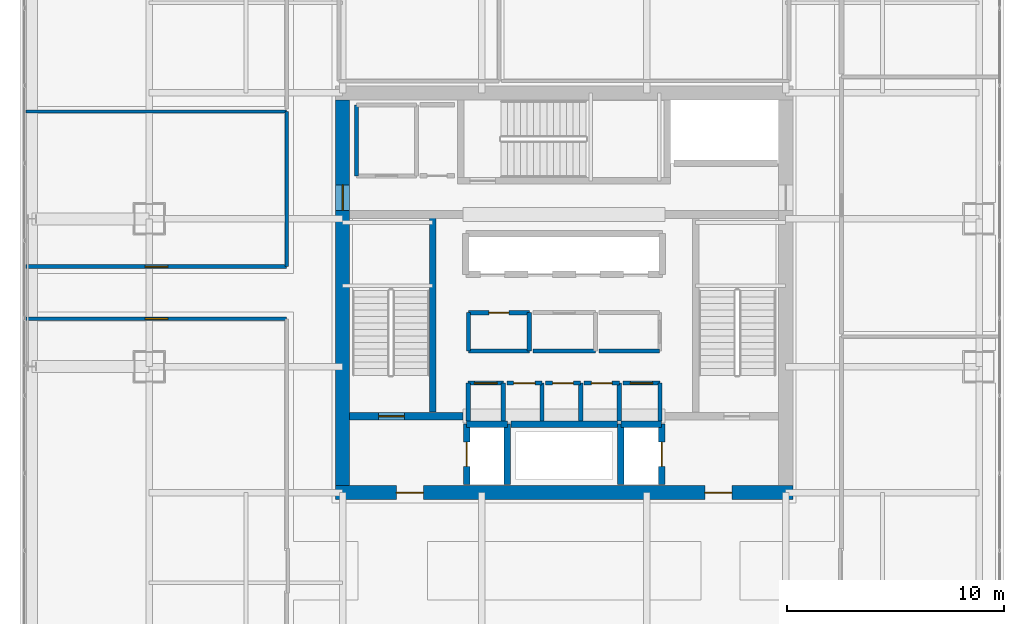
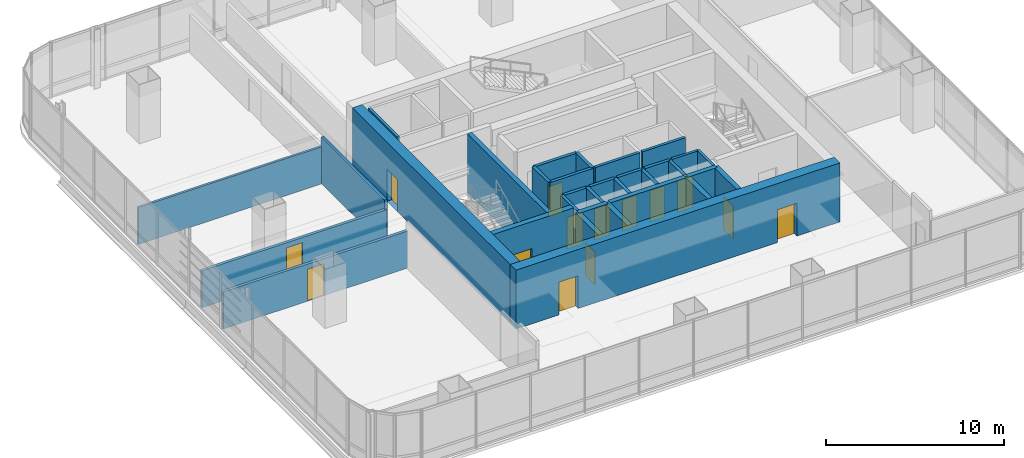
# One storey, part 30 of 38: 33 walls, 14 doors, 14 openings.
"""IFC4 building model written with IfcOpenShell, lengths in metres."""

from ifc_helpers import new_model, si_unit, direction, frame, frame_2d, origin, place, context, subcontext, project, spatial, rectangle, extrude, material, layer, layer_set, type_object, element, fill, save


model = new_model("IFC4")

# Units and contexts
model_context = context("Model", 3, precision=1e-05, world=origin(), true_north=direction((0.0, 1.0)))
body_context = subcontext(model_context, "Body", "Model", "MODEL_VIEW")
ifc_project = project(units=[si_unit("LENGTHUNIT", "METRE"), si_unit("AREAUNIT", "SQUARE_METRE"), si_unit("VOLUMEUNIT", "CUBIC_METRE"), si_unit("PLANEANGLEUNIT", "RADIAN"), si_unit("MASSUNIT", "GRAM", prefix="KILO")], contexts=[model_context])

# Site, building, storey
site_placement = place(None, origin())
site = spatial("IfcSite", under=ifc_project, at=site_placement, CompositionType="ELEMENT")
building_placement = place(site_placement, origin())
building = spatial("IfcBuilding", under=site, at=building_placement, Name="Punatoya Terracotta Tower", CompositionType="ELEMENT")
storey_placement = place(building_placement, frame((0.0, 0.0, 147.89990234375)))
storey = spatial("IfcBuildingStorey", under=building, at=storey_placement, Name="L34", CompositionType="ELEMENT", Elevation=147.89990234375)

# Wall, openings, doors
ifc_material_1 = material(Name="Concrete C60/75", Category="concrete")
ifc_layer_1 = layer(ifc_material_1, 0.64990234375)
ifc_layer_set_1 = layer_set([ifc_layer_1], Name="Concrete C60/75")
wall_type_1 = type_object("IfcWallType", Name="WL-COR-650", PredefinedType="SHEAR", material=ifc_layer_set_1)
wall_1_placement = place(storey_placement, frame((10.52490234375, -9.199951171875, 0.0), z_axis=(0.0, 0.0, 1.0), x_axis=(-1.0, 0.0, 0.0)))
wall_1 = element("IfcWall", 1, at=wall_1_placement, inside=storey, type_object=wall_type_1, Name="L34 Core Shear Wall S", PredefinedType="SHEAR", context=body_context, shape_type="SweptSolid", body=[
    extrude(rectangle(XDim=21.0498046875, YDim=0.64990234375, at=frame_2d((10.52490234375, 0.0))), origin(), (0.0, 0.0, 1.0), 4.050048828125),
])
opening_1_placement = place(wall_1_placement, frame((2.800048828125, 0.0, 0.0)))
opening_1 = element("IfcOpeningElement", 2, at=opening_1_placement, cuts=wall_1, Name="Opening FD-L1", PredefinedType="OPENING", context=body_context, shape_type="SweptSolid", body=[
    extrude(rectangle(XDim=1.25, YDim=2.25, at=frame_2d((0.625, 1.125))), frame((0.0, 0.3349609375, 0.0), z_axis=(0.0, -1.0, 0.0), x_axis=(1.0, 0.0, 0.0)), (0.0, 0.0, 1.0), 0.669921875),
])
opening_2_placement = place(wall_1_placement, frame((17.0, 0.0, 0.0)))
opening_2 = element("IfcOpeningElement", 3, at=opening_2_placement, cuts=wall_1, Name="Opening FD-L1", PredefinedType="OPENING", context=body_context, shape_type="SweptSolid", body=[
    extrude(rectangle(XDim=1.25, YDim=2.25, at=frame_2d((0.625, 1.125))), frame((0.0, 0.3349609375, 0.0), z_axis=(0.0, -1.0, 0.0), x_axis=(1.0, 0.0, 0.0)), (0.0, 0.0, 1.0), 0.669921875),
])
ifc_material_2 = material(Name="Galvanised Steel Smokeproof Fire Door", Category="steel")
door_type_1 = type_object("IfcDoorType", Name="DR-FFL-1250", OperationType="NOTDEFINED", PredefinedType="DOOR", material=ifc_material_2)
door_1_placement = place(opening_1_placement, origin())
door_1 = element("IfcDoor", 4, at=door_1_placement, inside=storey, type_object=door_type_1, Name="L34 East Firefighting Lobby Corridor Fire Door", OperationType="SINGLE_SWING_LEFT", OverallHeight=2.25, OverallWidth=1.25, PredefinedType="DOOR", context=body_context, shape_type="SweptSolid", body=[
    extrude(rectangle(XDim=1.25, YDim=2.25, at=frame_2d((0.625, 1.125))), frame((0.0, 0.02490234375, 0.0), z_axis=(0.0, -1.0, 0.0), x_axis=(1.0, 0.0, 0.0)), (0.0, 0.0, 1.0), 0.050048828125),
])
fill(opening_1, door_1)
door_2_placement = place(opening_2_placement, origin())
door_2 = element("IfcDoor", 5, at=door_2_placement, inside=storey, type_object=door_type_1, Name="L34 West Firefighting Lobby Corridor Fire Door", OperationType="SINGLE_SWING_RIGHT", OverallHeight=2.25, OverallWidth=1.25, PredefinedType="DOOR", context=body_context, shape_type="SweptSolid", body=[
    extrude(rectangle(XDim=1.25, YDim=2.25, at=frame_2d((0.625, 1.125))), frame((0.0, 0.02490234375, 0.0), z_axis=(0.0, -1.0, 0.0), x_axis=(1.0, 0.0, 0.0)), (0.0, 0.0, 1.0), 0.050048828125),
])
fill(opening_2, door_2)

# Wall, opening, door
wall_2_placement = place(storey_placement, frame((-10.199951171875, -8.875, 0.0), z_axis=(0.0, 0.0, 1.0), x_axis=(0.0, 1.0, 0.0)))
wall_2 = element("IfcWall", 6, at=wall_2_placement, inside=storey, type_object=wall_type_1, Name="L34 Core Shear Wall W", PredefinedType="SHEAR", context=body_context, shape_type="SweptSolid", body=[
    extrude(rectangle(XDim=17.75, YDim=0.64990234375, at=frame_2d((8.875, 0.0))), origin(), (0.0, 0.0, 1.0), 4.050048828125),
])
opening_3_placement = place(wall_2_placement, frame((12.6650390625, 0.0, 0.0)))
opening_3 = element("IfcOpeningElement", 7, at=opening_3_placement, cuts=wall_2, Name="Opening SD-01", PredefinedType="OPENING", context=body_context, shape_type="SweptSolid", body=[
    extrude(rectangle(XDim=1.179931640625, YDim=2.199951171875, at=frame_2d((0.58984375, 1.10009765625))), frame((0.0, 0.3349609375, 0.0), z_axis=(0.0, -1.0, 0.0), x_axis=(1.0, 0.0, 0.0)), (0.0, 0.0, 1.0), 0.669921875),
])
ifc_material_3 = material(Name="Galvanised Steel Pressurized Stair Fire Door", Category="steel")
door_type_2 = type_object("IfcDoorType", Name="DR-STR-1180", OperationType="NOTDEFINED", PredefinedType="DOOR", material=ifc_material_3)
door_3_placement = place(opening_3_placement, origin())
door_3 = element("IfcDoor", 8, at=door_3_placement, inside=storey, type_object=door_type_2, Name="L34 Central Lift Lobby West Fire Door", OperationType="SINGLE_SWING_LEFT", OverallHeight=2.199951171875, OverallWidth=1.179931640625, PredefinedType="DOOR", context=body_context, shape_type="SweptSolid", body=[
    extrude(rectangle(XDim=1.179931640625, YDim=2.199951171875, at=frame_2d((0.58984375, 1.10009765625))), frame((0.0, 0.02490234375, 0.0), z_axis=(0.0, -1.0, 0.0), x_axis=(1.0, 0.0, 0.0)), (0.0, 0.0, 1.0), 0.050048828125),
])
fill(opening_3, door_3)

# Wall
ifc_material_4 = material(Name="Gypsum Fireboard + Steel Stud", Category="steel")
ifc_layer_2 = layer(ifc_material_4, 0.179931640625)
ifc_layer_set_2 = layer_set([ifc_layer_2], Name="Gypsum Fireboard + Steel Stud")
wall_type_2 = type_object("IfcWallType", Name="WL-CORR-180", PredefinedType="PARTITIONING", material=ifc_layer_set_2)
wall_3_placement = place(storey_placement, frame((4.419921875, -5.89990234375, 0.0), z_axis=(0.0, 0.0, 1.0), x_axis=(0.0, 1.0, 0.0)))
element("IfcWall", 9, at=wall_3_placement, inside=storey, type_object=wall_type_2, Name="L34 Core Focus Booth Partition 10", PredefinedType="PARTITIONING", context=body_context, shape_type="SweptSolid", body=[
    extrude(rectangle(XDim=1.739990234375, YDim=0.179931640625, at=frame_2d((0.8701171875, 0.0))), origin(), (0.0, 0.0, 1.0), 3.830078125),
])

# Wall, opening, door
wall_4_placement = place(storey_placement, frame((4.419921875, -4.159912109375, 0.0), z_axis=(0.0, 0.0, 1.0), x_axis=(-1.0, 0.0, 0.0)))
wall_4 = element("IfcWall", 10, at=wall_4_placement, inside=storey, type_object=wall_type_2, Name="L34 Core Focus Booth Partition 11", PredefinedType="PARTITIONING", context=body_context, shape_type="SweptSolid", body=[
    extrude(rectangle(XDim=1.719970703125, YDim=0.179931640625, at=frame_2d((0.85986328125, 0.0))), origin(), (0.0, 0.0, 1.0), 3.830078125),
])
opening_4_placement = place(wall_4_placement, frame((0.35009765625, 0.0, 0.0)))
opening_4 = element("IfcOpeningElement", 11, at=opening_4_placement, cuts=wall_4, Name="Opening MD-01", PredefinedType="OPENING", context=body_context, shape_type="SweptSolid", body=[
    extrude(rectangle(XDim=1.02001953125, YDim=2.199951171875, at=frame_2d((0.510009765625, 1.10009765625))), frame((0.0, 0.099853515625, 0.0), z_axis=(0.0, -1.0, 0.0), x_axis=(1.0, 0.0, 0.0)), (0.0, 0.0, 1.0), 0.199951171875),
])
ifc_material_5 = material(Name="Aluminium + Acoustic Glass Leaf", Category="aluminium")
door_type_3 = type_object("IfcDoorType", Name="DR-MTG-1020", OperationType="NOTDEFINED", PredefinedType="DOOR", material=ifc_material_5)
door_4_placement = place(opening_4_placement, origin())
door_4 = element("IfcDoor", 12, at=door_4_placement, inside=storey, type_object=door_type_3, Name="L34 Focus Booth Door", OperationType="SINGLE_SWING_LEFT", OverallHeight=2.199951171875, OverallWidth=1.02001953125, PredefinedType="DOOR", context=body_context, shape_type="SweptSolid", body=[
    extrude(rectangle(XDim=1.02001953125, YDim=2.199951171875, at=frame_2d((0.510009765625, 1.10009765625))), frame((0.0, 0.02490234375, 0.0), z_axis=(0.0, -1.0, 0.0), x_axis=(1.0, 0.0, 0.0)), (0.0, 0.0, 1.0), 0.050048828125),
])
fill(opening_4, door_4)

# Walls
wall_5_placement = place(storey_placement, frame((-1.43994140625, -2.679931640625, 0.0), z_axis=(0.0, 0.0, 1.0), x_axis=(1.0, 0.0, 0.0)))
element("IfcWall", 13, at=wall_5_placement, inside=storey, type_object=wall_type_2, Name="L34 Center Core Briefing Pod Partition 18", PredefinedType="PARTITIONING", context=body_context, shape_type="SweptSolid", body=[
    extrude(rectangle(XDim=2.8798828125, YDim=0.179931640625, at=frame_2d((1.43994140625, 0.0))), origin(), (0.0, 0.0, 1.0), 3.830078125),
])
wall_6_placement = place(storey_placement, frame((1.60009765625, -2.679931640625, 0.0), z_axis=(0.0, 0.0, 1.0), x_axis=(1.0, 0.0, 0.0)))
element("IfcWall", 14, at=wall_6_placement, inside=storey, type_object=wall_type_2, Name="L34 Right Core Copy Room Partition 21", PredefinedType="PARTITIONING", context=body_context, shape_type="SweptSolid", body=[
    extrude(rectangle(XDim=2.7998046875, YDim=0.179931640625, at=frame_2d((1.39990234375, 0.0))), origin(), (0.0, 0.0, 1.0), 3.830078125),
])
wall_7_placement = place(storey_placement, frame((-9.550048828125, 8.64990234375, 0.0), z_axis=(0.0, 0.0, 1.0), x_axis=(0.0, -1.0, 0.0)))
element("IfcWall", 15, at=wall_7_placement, inside=storey, type_object=wall_type_2, Name="L34 West Core Briefing Pod Partition 24", PredefinedType="PARTITIONING", context=body_context, shape_type="SweptSolid", body=[
    extrude(rectangle(XDim=3.27001953125, YDim=0.179931640625, at=frame_2d((1.635009765625, 0.0))), origin(), (0.0, 0.0, 1.0), 3.830078125),
])

# Wall, opening, door
wall_8_placement = place(storey_placement, frame((-24.77001953125, -1.199951171875, 0.0), z_axis=(0.0, 0.0, 1.0), x_axis=(1.0, 0.0, 0.0)))
wall_8 = element("IfcWall", 16, at=wall_8_placement, inside=storey, type_object=wall_type_2, Name="L34 Cartography Reference Library Partition 33", PredefinedType="PARTITIONING", context=body_context, shape_type="SweptSolid", body=[
    extrude(rectangle(XDim=12.0, YDim=0.179931640625, at=frame_2d((6.0, 0.0))), origin(), (0.0, 0.0, 1.0), 2.544189453125),
])
opening_5_placement = place(wall_8_placement, frame((5.47509765625, 0.0, 0.0)))
opening_5 = element("IfcOpeningElement", 17, at=opening_5_placement, cuts=wall_8, Name="Opening OD-01", PredefinedType="OPENING", context=body_context, shape_type="SweptSolid", body=[
    extrude(rectangle(XDim=1.050048828125, YDim=2.199951171875, at=frame_2d((0.52490234375, 1.10009765625))), frame((0.0, 0.099853515625, 0.0), z_axis=(0.0, -1.0, 0.0), x_axis=(1.0, 0.0, 0.0)), (0.0, 0.0, 1.0), 0.199951171875),
])
ifc_material_6 = material(Name="Bengal Teak Solid-Core Leaf")
door_type_4 = type_object("IfcDoorType", Name="DR-OFF-1050", OperationType="NOTDEFINED", PredefinedType="DOOR", material=ifc_material_6)
door_5_placement = place(opening_5_placement, origin())
door_5 = element("IfcDoor", 18, at=door_5_placement, inside=storey, type_object=door_type_4, Name="L34 Cartography Reference Library Door", OperationType="SINGLE_SWING_RIGHT", OverallHeight=2.199951171875, OverallWidth=1.050048828125, PredefinedType="DOOR", context=body_context, shape_type="SweptSolid", body=[
    extrude(rectangle(XDim=1.050048828125, YDim=2.199951171875, at=frame_2d((0.52490234375, 1.10009765625))), frame((0.0, 0.02490234375, 0.0), z_axis=(0.0, -1.0, 0.0), x_axis=(1.0, 0.0, 0.0)), (0.0, 0.0, 1.0), 0.050048828125),
])
fill(opening_5, door_5)

wall_9_placement = place(storey_placement, frame((-12.77001953125, 1.199951171875, 0.0), z_axis=(0.0, 0.0, 1.0), x_axis=(-1.0, 0.0, 0.0)))
wall_9 = element("IfcWall", 19, at=wall_9_placement, inside=storey, type_object=wall_type_2, Name="L34 Open-Plan Environmental Research Laboratory Partition 40", PredefinedType="PARTITIONING", context=body_context, shape_type="SweptSolid", body=[
    extrude(rectangle(XDim=12.0, YDim=0.179931640625, at=frame_2d((6.0, 0.0))), origin(), (0.0, 0.0, 1.0), 2.544189453125),
])
opening_6_placement = place(wall_9_placement, frame((5.47509765625, 0.0, 0.0)))
opening_6 = element("IfcOpeningElement", 20, at=opening_6_placement, cuts=wall_9, Name="Opening OD-01", PredefinedType="OPENING", context=body_context, shape_type="SweptSolid", body=[
    extrude(rectangle(XDim=1.050048828125, YDim=2.199951171875, at=frame_2d((0.52490234375, 1.10009765625))), frame((0.0, 0.099853515625, 0.0), z_axis=(0.0, -1.0, 0.0), x_axis=(1.0, 0.0, 0.0)), (0.0, 0.0, 1.0), 0.199951171875),
])
door_6_placement = place(opening_6_placement, origin())
door_6 = element("IfcDoor", 21, at=door_6_placement, inside=storey, type_object=door_type_4, Name="L34 Open-Plan Environmental Research Laboratory Door", OperationType="SINGLE_SWING_RIGHT", OverallHeight=2.199951171875, OverallWidth=1.050048828125, PredefinedType="DOOR", context=body_context, shape_type="SweptSolid", body=[
    extrude(rectangle(XDim=1.050048828125, YDim=2.199951171875, at=frame_2d((0.52490234375, 1.10009765625))), frame((0.0, 0.02490234375, 0.0), z_axis=(0.0, -1.0, 0.0), x_axis=(1.0, 0.0, 0.0)), (0.0, 0.0, 1.0), 0.050048828125),
])
fill(opening_6, door_6)

# Walls
wall_10_placement = place(storey_placement, frame((-12.77001953125, 8.34912109375, 0.0), z_axis=(0.0, 0.0, 1.0), x_axis=(0.0, -1.0, 0.0)))
element("IfcWall", 22, at=wall_10_placement, inside=storey, type_object=wall_type_2, Name="L34 Open-Plan Environmental Research Laboratory Partition 42", PredefinedType="PARTITIONING", context=body_context, shape_type="SweptSolid", body=[
    extrude(rectangle(XDim=7.149169921875, YDim=0.179931640625, at=frame_2d((3.57470703125, 0.0))), origin(), (0.0, 0.0, 1.0), 3.174072265625),
])
ifc_material_7 = material(Name="Concrete C40/50", Category="concrete")
ifc_layer_3 = layer(ifc_material_7, 0.199951171875)
ifc_layer_set_3 = layer_set([ifc_layer_3], Name="Concrete C40/50")
wall_type_3 = type_object("IfcWallType", Name="WL-INT-200", PredefinedType="SOLIDWALL", material=ifc_layer_set_3)
wall_11_placement = place(storey_placement, frame((-2.800048828125, -5.89990234375, 0.0), z_axis=(0.0, 0.0, 1.0), x_axis=(0.0, 1.0, 0.0)))
element("IfcWall", 23, at=wall_11_placement, inside=storey, type_object=wall_type_3, Name="L34 Core Tea Pantry Partition 01", PredefinedType="SOLIDWALL", context=body_context, shape_type="SweptSolid", body=[
    extrude(rectangle(XDim=1.739990234375, YDim=0.199951171875, at=frame_2d((0.8701171875, 0.0))), origin(), (0.0, 0.0, 1.0), 3.830078125),
])

# Wall, opening, door
wall_12_placement = place(storey_placement, frame((-2.800048828125, -4.159912109375, 0.0), z_axis=(0.0, 0.0, 1.0), x_axis=(-1.0, 0.0, 0.0)))
wall_12 = element("IfcWall", 24, at=wall_12_placement, inside=storey, type_object=wall_type_3, Name="L34 Core Tea Pantry Partition 02", PredefinedType="SOLIDWALL", context=body_context, shape_type="SweptSolid", body=[
    extrude(rectangle(XDim=1.619873046875, YDim=0.199951171875, at=frame_2d((0.81005859375, 0.0))), origin(), (0.0, 0.0, 1.0), 3.830078125),
])
opening_7_placement = place(wall_12_placement, frame((0.284912109375, 0.0, 0.0)))
opening_7 = element("IfcOpeningElement", 25, at=opening_7_placement, cuts=wall_12, Name="Opening OD-01", PredefinedType="OPENING", context=body_context, shape_type="SweptSolid", body=[
    extrude(rectangle(XDim=1.050048828125, YDim=2.199951171875, at=frame_2d((0.52490234375, 1.10009765625))), frame((0.0, 0.10986328125, 0.0), z_axis=(0.0, -1.0, 0.0), x_axis=(1.0, 0.0, 0.0)), (0.0, 0.0, 1.0), 0.219970703125),
])
door_7_placement = place(opening_7_placement, origin())
door_7 = element("IfcDoor", 26, at=door_7_placement, inside=storey, type_object=door_type_4, Name="L34 Tea Pantry Door", OperationType="SINGLE_SWING_LEFT", OverallHeight=2.199951171875, OverallWidth=1.050048828125, PredefinedType="DOOR", context=body_context, shape_type="SweptSolid", body=[
    extrude(rectangle(XDim=1.050048828125, YDim=2.199951171875, at=frame_2d((0.52490234375, 1.10009765625))), frame((0.0, 0.02490234375, 0.0), z_axis=(0.0, -1.0, 0.0), x_axis=(1.0, 0.0, 0.0)), (0.0, 0.0, 1.0), 0.050048828125),
])
fill(opening_7, door_7)

# Walls
for number, where, z_axis, x_axis, name in (
    (27, (-4.419921875, -4.159912109375, 0.0), (0.0, 0.0, 1.0), (0.0, -1.0, 0.0), "L34 Core Tea Pantry Partition 03"),
    (28, (-1.02001953125, -5.89990234375, 0.0), (0.0, 0.0, 1.0), (0.0, 1.0, 0.0), "L34 Accessible Washroom Partition 04"),
):
    element("IfcWall", number, at=place(storey_placement, frame(where, z_axis=z_axis, x_axis=x_axis)), inside=storey, type_object=wall_type_3, Name=name, PredefinedType="SOLIDWALL", context=body_context, shape_type="SweptSolid", body=[
        extrude(rectangle(XDim=1.739990234375, YDim=0.199951171875, at=frame_2d((0.8701171875, 0.0))), origin(), (0.0, 0.0, 1.0), 3.830078125),
    ])

# Wall, opening, door
wall_13_placement = place(storey_placement, frame((-1.02001953125, -4.159912109375, 0.0), z_axis=(0.0, 0.0, 1.0), x_axis=(-1.0, 0.0, 0.0)))
wall_13 = element("IfcWall", 29, at=wall_13_placement, inside=storey, type_object=wall_type_3, Name="L34 Accessible Washroom Partition 05", PredefinedType="SOLIDWALL", context=body_context, shape_type="SweptSolid", body=[
    extrude(rectangle(XDim=1.619873046875, YDim=0.199951171875, at=frame_2d((0.81005859375, 0.0))), origin(), (0.0, 0.0, 1.0), 3.830078125),
])
opening_8_placement = place(wall_13_placement, frame((0.31005859375, 0.0, 0.0)))
opening_8 = element("IfcOpeningElement", 30, at=opening_8_placement, cuts=wall_13, Name="Opening AWD-1", PredefinedType="OPENING", context=body_context, shape_type="SweptSolid", body=[
    extrude(rectangle(XDim=1.0, YDim=2.14990234375, at=frame_2d((0.5, 1.074951171875))), frame((0.0, 0.10986328125, 0.0), z_axis=(0.0, -1.0, 0.0), x_axis=(1.0, 0.0, 0.0)), (0.0, 0.0, 1.0), 0.219970703125),
])
ifc_material_8 = material(Name="Bengal Teak Accessible WC Leaf")
door_type_5 = type_object("IfcDoorType", Name="DR-ACC-1000", OperationType="NOTDEFINED", PredefinedType="DOOR", material=ifc_material_8)
door_8_placement = place(opening_8_placement, origin())
door_8 = element("IfcDoor", 31, at=door_8_placement, inside=storey, type_object=door_type_5, Name="L34 Accessible Washroom Door", OperationType="SINGLE_SWING_RIGHT", OverallHeight=2.14990234375, OverallWidth=1.0, PredefinedType="DOOR", context=body_context, shape_type="SweptSolid", body=[
    extrude(rectangle(XDim=1.0, YDim=2.14990234375, at=frame_2d((0.5, 1.074951171875))), frame((0.0, 0.02490234375, 0.0), z_axis=(0.0, -1.0, 0.0), x_axis=(1.0, 0.0, 0.0)), (0.0, 0.0, 1.0), 0.050048828125),
])
fill(opening_8, door_8)

# Wall
wall_14_placement = place(storey_placement, frame((0.760009765625, -5.89990234375, 0.0), z_axis=(0.0, 0.0, 1.0), x_axis=(0.0, 1.0, 0.0)))
element("IfcWall", 32, at=wall_14_placement, inside=storey, type_object=wall_type_3, Name="L34 Female Washroom Partition 06", PredefinedType="SOLIDWALL", context=body_context, shape_type="SweptSolid", body=[
    extrude(rectangle(XDim=1.739990234375, YDim=0.199951171875, at=frame_2d((0.8701171875, 0.0))), origin(), (0.0, 0.0, 1.0), 3.830078125),
])

# Wall, opening, door
wall_15_placement = place(storey_placement, frame((0.760009765625, -4.159912109375, 0.0), z_axis=(0.0, 0.0, 1.0), x_axis=(-1.0, 0.0, 0.0)))
wall_15 = element("IfcWall", 33, at=wall_15_placement, inside=storey, type_object=wall_type_3, Name="L34 Female Washroom Partition 07", PredefinedType="SOLIDWALL", context=body_context, shape_type="SweptSolid", body=[
    extrude(rectangle(XDim=1.6201171875, YDim=0.199951171875, at=frame_2d((0.81005859375, 0.0))), origin(), (0.0, 0.0, 1.0), 3.830078125),
])
opening_9_placement = place(wall_15_placement, frame((0.3349609375, 0.0, 0.0)))
opening_9 = element("IfcOpeningElement", 34, at=opening_9_placement, cuts=wall_15, Name="Opening WD-01", PredefinedType="OPENING", context=body_context, shape_type="SweptSolid", body=[
    extrude(rectangle(XDim=0.949951171875, YDim=2.14990234375, at=frame_2d((0.47509765625, 1.074951171875))), frame((0.0, 0.10986328125, 0.0), z_axis=(0.0, -1.0, 0.0), x_axis=(1.0, 0.0, 0.0)), (0.0, 0.0, 1.0), 0.219970703125),
])
ifc_material_9 = material(Name="Moisture-Resistant Laminate Timber Leaf", Category="wood")
door_type_6 = type_object("IfcDoorType", Name="DR-WC-950", OperationType="NOTDEFINED", PredefinedType="DOOR", material=ifc_material_9)
door_9_placement = place(opening_9_placement, origin())
door_9 = element("IfcDoor", 35, at=door_9_placement, inside=storey, type_object=door_type_6, Name="L34 Female Washroom Door", OperationType="SINGLE_SWING_LEFT", OverallHeight=2.14990234375, OverallWidth=0.949951171875, PredefinedType="DOOR", context=body_context, shape_type="SweptSolid", body=[
    extrude(rectangle(XDim=0.949951171875, YDim=2.14990234375, at=frame_2d((0.47509765625, 1.074951171875))), frame((0.0, 0.02490234375, 0.0), z_axis=(0.0, -1.0, 0.0), x_axis=(1.0, 0.0, 0.0)), (0.0, 0.0, 1.0), 0.050048828125),
])
fill(opening_9, door_9)

# Wall
wall_16_placement = place(storey_placement, frame((2.5400390625, -5.89990234375, 0.0), z_axis=(0.0, 0.0, 1.0), x_axis=(0.0, 1.0, 0.0)))
element("IfcWall", 36, at=wall_16_placement, inside=storey, type_object=wall_type_3, Name="L34 Male Washroom Partition 08", PredefinedType="SOLIDWALL", context=body_context, shape_type="SweptSolid", body=[
    extrude(rectangle(XDim=1.739990234375, YDim=0.199951171875, at=frame_2d((0.8701171875, 0.0))), origin(), (0.0, 0.0, 1.0), 3.830078125),
])

# Wall, opening, door
wall_17_placement = place(storey_placement, frame((2.5400390625, -4.159912109375, 0.0), z_axis=(0.0, 0.0, 1.0), x_axis=(-1.0, 0.0, 0.0)))
wall_17 = element("IfcWall", 37, at=wall_17_placement, inside=storey, type_object=wall_type_3, Name="L34 Male Washroom Partition 09", PredefinedType="SOLIDWALL", context=body_context, shape_type="SweptSolid", body=[
    extrude(rectangle(XDim=1.6201171875, YDim=0.199951171875, at=frame_2d((0.81005859375, 0.0))), origin(), (0.0, 0.0, 1.0), 3.830078125),
])
opening_10_placement = place(wall_17_placement, frame((0.3349609375, 0.0, 0.0)))
opening_10 = element("IfcOpeningElement", 38, at=opening_10_placement, cuts=wall_17, Name="Opening WD-01", PredefinedType="OPENING", context=body_context, shape_type="SweptSolid", body=[
    extrude(rectangle(XDim=0.949951171875, YDim=2.14990234375, at=frame_2d((0.47509765625, 1.074951171875))), frame((0.0, 0.10986328125, 0.0), z_axis=(0.0, -1.0, 0.0), x_axis=(1.0, 0.0, 0.0)), (0.0, 0.0, 1.0), 0.219970703125),
])
door_10_placement = place(opening_10_placement, origin())
door_10 = element("IfcDoor", 39, at=door_10_placement, inside=storey, type_object=door_type_6, Name="L34 Male Washroom Door", OperationType="SINGLE_SWING_RIGHT", OverallHeight=2.14990234375, OverallWidth=0.949951171875, PredefinedType="DOOR", context=body_context, shape_type="SweptSolid", body=[
    extrude(rectangle(XDim=0.949951171875, YDim=2.14990234375, at=frame_2d((0.47509765625, 1.074951171875))), frame((0.0, 0.02490234375, 0.0), z_axis=(0.0, -1.0, 0.0), x_axis=(1.0, 0.0, 0.0)), (0.0, 0.0, 1.0), 0.050048828125),
])
fill(opening_10, door_10)

# Wall
wall_18_placement = place(storey_placement, frame((-1.60009765625, -2.679931640625, 0.0), z_axis=(0.0, 0.0, 1.0), x_axis=(0.0, 1.0, 0.0)))
element("IfcWall", 40, at=wall_18_placement, inside=storey, type_object=wall_type_3, Name="L34 Left Core Store Partition 12", PredefinedType="SOLIDWALL", context=body_context, shape_type="SweptSolid", body=[
    extrude(rectangle(XDim=1.760009765625, YDim=0.199951171875, at=frame_2d((0.8798828125, 0.0))), origin(), (0.0, 0.0, 1.0), 3.830078125),
])

# Wall, opening, door
wall_19_placement = place(storey_placement, frame((-1.60009765625, -0.919921875, 0.0), z_axis=(0.0, 0.0, 1.0), x_axis=(-1.0, 0.0, 0.0)))
wall_19 = element("IfcWall", 41, at=wall_19_placement, inside=storey, type_object=wall_type_3, Name="L34 Left Core Store Partition 13", PredefinedType="SOLIDWALL", context=body_context, shape_type="SweptSolid", body=[
    extrude(rectangle(XDim=2.7998046875, YDim=0.199951171875, at=frame_2d((1.39990234375, 0.0))), origin(), (0.0, 0.0, 1.0), 3.830078125),
])
opening_11_placement = place(wall_19_placement, frame((0.93994140625, 0.0, 0.0)))
opening_11 = element("IfcOpeningElement", 42, at=opening_11_placement, cuts=wall_19, Name="Opening FD-R1", PredefinedType="OPENING", context=body_context, shape_type="SweptSolid", body=[
    extrude(rectangle(XDim=0.919921875, YDim=2.10009765625, at=frame_2d((0.4599609375, 1.050048828125))), frame((0.0, 0.10986328125, 0.0), z_axis=(0.0, -1.0, 0.0), x_axis=(1.0, 0.0, 0.0)), (0.0, 0.0, 1.0), 0.219970703125),
])
ifc_material_10 = material(Name="Galvanised Steel Riser Fire Access Door", Category="steel")
door_type_7 = type_object("IfcDoorType", Name="DR-RSR-920", OperationType="NOTDEFINED", PredefinedType="DOOR", material=ifc_material_10)
door_11_placement = place(opening_11_placement, origin())
door_11 = element("IfcDoor", 43, at=door_11_placement, inside=storey, type_object=door_type_7, Name="L34 Left Core Store Fire Door", OperationType="SINGLE_SWING_RIGHT", OverallHeight=2.10009765625, OverallWidth=0.919921875, PredefinedType="DOOR", context=body_context, shape_type="SweptSolid", body=[
    extrude(rectangle(XDim=0.919921875, YDim=2.10009765625, at=frame_2d((0.4599609375, 1.050048828125))), frame((0.0, 0.02490234375, 0.0), z_axis=(0.0, -1.0, 0.0), x_axis=(1.0, 0.0, 0.0)), (0.0, 0.0, 1.0), 0.050048828125),
])
fill(opening_11, door_11)

# Walls
wall_20_placement = place(storey_placement, frame((-4.39990234375, -0.919921875, 0.0), z_axis=(0.0, 0.0, 1.0), x_axis=(0.0, -1.0, 0.0)))
element("IfcWall", 44, at=wall_20_placement, inside=storey, type_object=wall_type_3, Name="L34 Left Core Store Partition 14", PredefinedType="SOLIDWALL", context=body_context, shape_type="SweptSolid", body=[
    extrude(rectangle(XDim=1.760009765625, YDim=0.199951171875, at=frame_2d((0.8798828125, 0.0))), origin(), (0.0, 0.0, 1.0), 3.830078125),
])
wall_21_placement = place(storey_placement, frame((-4.39990234375, -2.679931640625, 0.0), z_axis=(0.0, 0.0, 1.0), x_axis=(1.0, 0.0, 0.0)))
element("IfcWall", 45, at=wall_21_placement, inside=storey, type_object=wall_type_3, Name="L34 Left Core Store Partition 15", PredefinedType="SOLIDWALL", context=body_context, shape_type="SweptSolid", body=[
    extrude(rectangle(XDim=2.7998046875, YDim=0.199951171875, at=frame_2d((1.39990234375, 0.0))), origin(), (0.0, 0.0, 1.0), 3.830078125),
])
ifc_material_11 = material(Name="Acoustic Gypsum + Steel Stud", Category="steel")
ifc_layer_4 = layer(ifc_material_11, 0.139892578125)
ifc_layer_set_4 = layer_set([ifc_layer_4], Name="Acoustic Gypsum + Steel Stud")
wall_type_4 = type_object("IfcWallType", Name="WL-OFF-140", PredefinedType="PARTITIONING", material=ifc_layer_set_4)
wall_22_placement = place(storey_placement, frame((-24.77001953125, 8.34912109375, 0.0), z_axis=(0.0, 0.0, 1.0), x_axis=(1.0, 0.0, 0.0)))
element("IfcWall", 46, at=wall_22_placement, inside=storey, type_object=wall_type_4, Name="L34 Open-Plan Environmental Research Laboratory Partition 41", PredefinedType="PARTITIONING", context=body_context, shape_type="SweptSolid", body=[
    extrude(rectangle(XDim=12.0, YDim=0.139892578125, at=frame_2d((6.0, 0.0))), origin(), (0.0, 0.0, 1.0), 2.544189453125),
])
ifc_layer_5 = layer(ifc_material_7, 0.300048828125)
ifc_layer_set_5 = layer_set([ifc_layer_5], Name="Concrete C40/50")
wall_type_5 = type_object("IfcWallType", Name="WL-SHF-300", PredefinedType="SOLIDWALL", material=ifc_layer_set_5)
wall_23_placement = place(storey_placement, frame((-6.050048828125, -5.5, 0.0), z_axis=(0.0, 0.0, 1.0), x_axis=(0.0, 1.0, 0.0)))
element("IfcWall", 47, at=wall_23_placement, inside=storey, type_object=wall_type_5, Name="L34 Structural Stair Shaft Wall SW-ST1-E", PredefinedType="SOLIDWALL", context=body_context, shape_type="SweptSolid", body=[
    extrude(rectangle(XDim=8.949951171875, YDim=0.300048828125, at=frame_2d((4.47509765625, 0.0))), origin(), (0.0, 0.0, 1.0), 4.050048828125),
])

# Wall, opening, door
wall_24_placement = place(storey_placement, frame((-4.489990234375, -8.820068359375, 0.0), z_axis=(0.0, 0.0, 1.0), x_axis=(0.0, 1.0, 0.0)))
wall_24 = element("IfcWall", 48, at=wall_24_placement, inside=storey, type_object=wall_type_5, Name="L34 FFL-1 Front Hoistway Wall", PredefinedType="SOLIDWALL", context=body_context, shape_type="SweptSolid", body=[
    extrude(rectangle(XDim=2.77001953125, YDim=0.300048828125, at=frame_2d((1.385009765625, 0.0))), origin(), (0.0, 0.0, 1.0), 3.830078125),
])
opening_12_placement = place(wall_24_placement, frame((0.824951171875, 0.0, 0.0)))
opening_12 = element("IfcOpeningElement", 49, at=opening_12_placement, cuts=wall_24, Name="Opening LD-02", PredefinedType="OPENING", context=body_context, shape_type="SweptSolid", body=[
    extrude(rectangle(XDim=1.1201171875, YDim=2.25, at=frame_2d((0.56005859375, 1.125))), frame((0.0, 0.159912109375, 0.0), z_axis=(0.0, -1.0, 0.0), x_axis=(1.0, 0.0, 0.0)), (0.0, 0.0, 1.0), 0.320068359375),
])
ifc_material_12 = material(Name="Stainless Steel Lift Landing Door", Category="steel")
door_type_8 = type_object("IfcDoorType", Name="DR-LND-1120", OperationType="NOTDEFINED", PredefinedType="DOOR", material=ifc_material_12)
door_12_placement = place(opening_12_placement, origin())
door_12 = element("IfcDoor", 50, at=door_12_placement, inside=storey, type_object=door_type_8, Name="L34 Firefighting Lift FFL-1 Sliding Landing Door", OperationType="SLIDING_TO_LEFT", OverallHeight=2.25, OverallWidth=1.1201171875, PredefinedType="DOOR", context=body_context, shape_type="SweptSolid", body=[
    extrude(rectangle(XDim=1.1201171875, YDim=2.25, at=frame_2d((0.56005859375, 1.125))), frame((0.0, 0.02490234375, 0.0), z_axis=(0.0, -1.0, 0.0), x_axis=(1.0, 0.0, 0.0)), (0.0, 0.0, 1.0), 0.050048828125),
])
fill(opening_12, door_12)

# Walls
wall_25_placement = place(storey_placement, frame((-2.610107421875, -8.820068359375, 0.0), z_axis=(0.0, 0.0, 1.0), x_axis=(0.0, 1.0, 0.0)))
element("IfcWall", 51, at=wall_25_placement, inside=storey, type_object=wall_type_5, Name="L34 FFL-1 Rear Hoistway Wall", PredefinedType="SOLIDWALL", context=body_context, shape_type="SweptSolid", body=[
    extrude(rectangle(XDim=2.77001953125, YDim=0.300048828125, at=frame_2d((1.385009765625, 0.0))), origin(), (0.0, 0.0, 1.0), 3.830078125),
])
wall_26_placement = place(storey_placement, frame((-4.489990234375, -6.050048828125, 0.0), z_axis=(0.0, 0.0, 1.0), x_axis=(1.0, 0.0, 0.0)))
element("IfcWall", 52, at=wall_26_placement, inside=storey, type_object=wall_type_5, Name="L34 FFL-1 North Hoistway Wall", PredefinedType="SOLIDWALL", context=body_context, shape_type="SweptSolid", body=[
    extrude(rectangle(XDim=1.8798828125, YDim=0.300048828125, at=frame_2d((0.93994140625, 0.0))), origin(), (0.0, 0.0, 1.0), 3.830078125),
])

# Wall, opening, door
wall_27_placement = place(storey_placement, frame((4.489990234375, -8.820068359375, 0.0), z_axis=(0.0, 0.0, 1.0), x_axis=(0.0, 1.0, 0.0)))
wall_27 = element("IfcWall", 53, at=wall_27_placement, inside=storey, type_object=wall_type_5, Name="L34 FFL-2 Front Hoistway Wall", PredefinedType="SOLIDWALL", context=body_context, shape_type="SweptSolid", body=[
    extrude(rectangle(XDim=2.77001953125, YDim=0.300048828125, at=frame_2d((1.385009765625, 0.0))), origin(), (0.0, 0.0, 1.0), 3.830078125),
])
opening_13_placement = place(wall_27_placement, frame((0.824951171875, 0.0, 0.0)))
opening_13 = element("IfcOpeningElement", 54, at=opening_13_placement, cuts=wall_27, Name="Opening LD-02", PredefinedType="OPENING", context=body_context, shape_type="SweptSolid", body=[
    extrude(rectangle(XDim=1.1201171875, YDim=2.25, at=frame_2d((0.56005859375, 1.125))), frame((0.0, 0.159912109375, 0.0), z_axis=(0.0, -1.0, 0.0), x_axis=(1.0, 0.0, 0.0)), (0.0, 0.0, 1.0), 0.320068359375),
])
door_13_placement = place(opening_13_placement, origin())
door_13 = element("IfcDoor", 55, at=door_13_placement, inside=storey, type_object=door_type_8, Name="L34 Firefighting Lift FFL-2 Sliding Landing Door", OperationType="SLIDING_TO_RIGHT", OverallHeight=2.25, OverallWidth=1.1201171875, PredefinedType="DOOR", context=body_context, shape_type="SweptSolid", body=[
    extrude(rectangle(XDim=1.1201171875, YDim=2.25, at=frame_2d((0.56005859375, 1.125))), frame((0.0, 0.02490234375, 0.0), z_axis=(0.0, -1.0, 0.0), x_axis=(1.0, 0.0, 0.0)), (0.0, 0.0, 1.0), 0.050048828125),
])
fill(opening_13, door_13)

# Walls
wall_28_placement = place(storey_placement, frame((2.610107421875, -8.820068359375, 0.0), z_axis=(0.0, 0.0, 1.0), x_axis=(0.0, 1.0, 0.0)))
element("IfcWall", 56, at=wall_28_placement, inside=storey, type_object=wall_type_5, Name="L34 FFL-2 Rear Hoistway Wall", PredefinedType="SOLIDWALL", context=body_context, shape_type="SweptSolid", body=[
    extrude(rectangle(XDim=2.77001953125, YDim=0.300048828125, at=frame_2d((1.385009765625, 0.0))), origin(), (0.0, 0.0, 1.0), 3.830078125),
])
wall_29_placement = place(storey_placement, frame((2.610107421875, -6.050048828125, 0.0), z_axis=(0.0, 0.0, 1.0), x_axis=(1.0, 0.0, 0.0)))
element("IfcWall", 57, at=wall_29_placement, inside=storey, type_object=wall_type_5, Name="L34 FFL-2 North Hoistway Wall", PredefinedType="SOLIDWALL", context=body_context, shape_type="SweptSolid", body=[
    extrude(rectangle(XDim=1.8798828125, YDim=0.300048828125, at=frame_2d((0.93994140625, 0.0))), origin(), (0.0, 0.0, 1.0), 3.830078125),
])
wall_30_placement = place(storey_placement, frame((-2.449951171875, -6.050048828125, 0.0), z_axis=(0.0, 0.0, 1.0), x_axis=(1.0, 0.0, 0.0)))
element("IfcWall", 58, at=wall_30_placement, inside=storey, type_object=wall_type_5, Name="L34 Observation Shuttle Rear Hoistway Wall", PredefinedType="SOLIDWALL", context=body_context, shape_type="SweptSolid", body=[
    extrude(rectangle(XDim=4.89990234375, YDim=0.300048828125, at=frame_2d((2.449951171875, 0.0))), origin(), (0.0, 0.0, 1.0), 3.830078125),
])

# Wall, opening, door
ifc_material_13 = material(Name="Concrete C50/60", Category="concrete")
ifc_layer_6 = layer(ifc_material_13, 0.35009765625)
ifc_layer_set_6 = layer_set([ifc_layer_6], Name="Concrete C50/60")
wall_type_6 = type_object("IfcWallType", Name="WL-SHF-350", PredefinedType="SOLIDWALL", material=ifc_layer_set_6)
wall_31_placement = place(storey_placement, frame((-9.875, -5.679931640625, 0.0), z_axis=(0.0, 0.0, 1.0), x_axis=(1.0, 0.0, 0.0)))
wall_31 = element("IfcWall", 59, at=wall_31_placement, inside=storey, type_object=wall_type_6, Name="L34 Core Web Wall CSW-L", PredefinedType="SOLIDWALL", context=body_context, shape_type="SweptSolid", body=[
    extrude(rectangle(XDim=5.22509765625, YDim=0.35009765625, at=frame_2d((2.612548828125, 0.0))), origin(), (0.0, 0.0, 1.0), 4.050048828125),
])
opening_14_placement = place(wall_31_placement, frame((1.3349609375, 0.0, 0.0)))
opening_14 = element("IfcOpeningElement", 60, at=opening_14_placement, cuts=wall_31, Name="Opening SD-01", PredefinedType="OPENING", context=body_context, shape_type="SweptSolid", body=[
    extrude(rectangle(XDim=1.179931640625, YDim=2.199951171875, at=frame_2d((0.58984375, 1.10009765625))), frame((0.0, 0.18505859375, 0.0), z_axis=(0.0, -1.0, 0.0), x_axis=(1.0, 0.0, 0.0)), (0.0, 0.0, 1.0), 0.3701171875),
])
door_14_placement = place(opening_14_placement, origin())
door_14 = element("IfcDoor", 61, at=door_14_placement, inside=storey, type_object=door_type_2, Name="L34 Stair ST-1 Smokeproof Lobby Fire Door", OperationType="SINGLE_SWING_LEFT", OverallHeight=2.199951171875, OverallWidth=1.179931640625, PredefinedType="DOOR", context=body_context, shape_type="SweptSolid", body=[
    extrude(rectangle(XDim=1.179931640625, YDim=2.199951171875, at=frame_2d((0.58984375, 1.10009765625))), frame((0.0, 0.02490234375, 0.0), z_axis=(0.0, -1.0, 0.0), x_axis=(1.0, 0.0, 0.0)), (0.0, 0.0, 1.0), 0.050048828125),
])
fill(opening_14, door_14)

save(model, "model.ifc")
